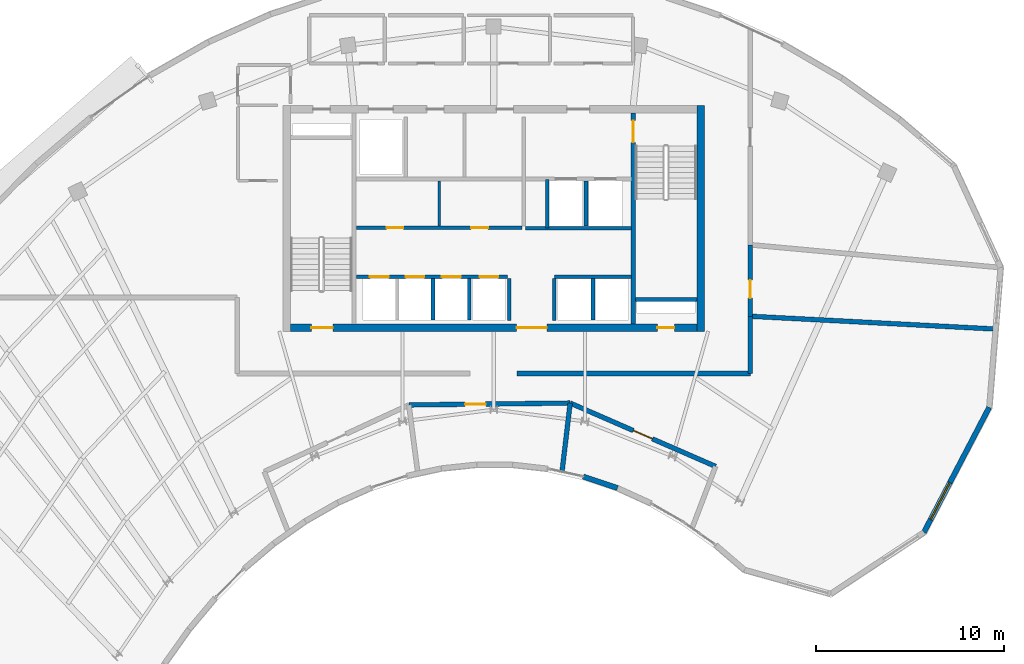
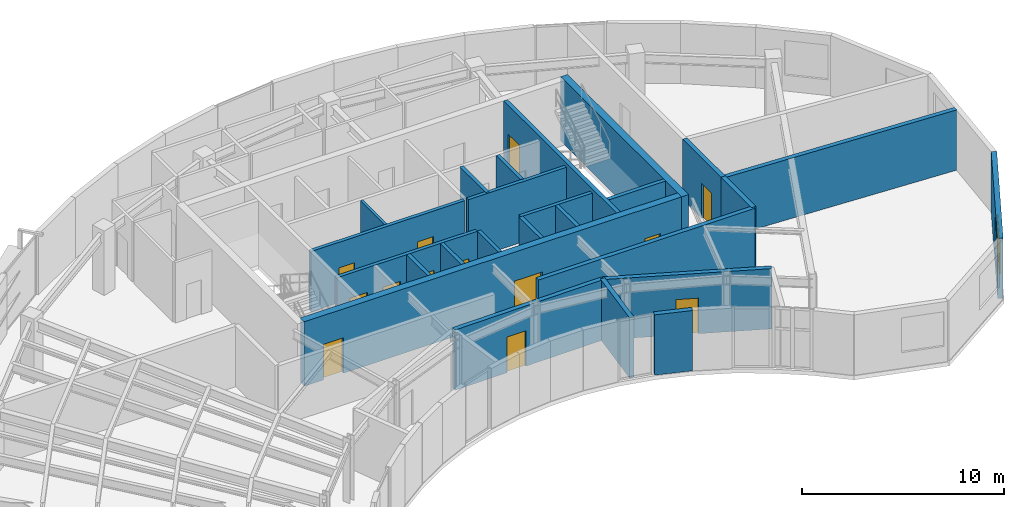
# One storey, part 9 of 12: 25 walls, 13 doors, 1 window, 14 openings.
"""IFC4 building model written with IfcOpenShell, lengths in metres."""

from ifc_helpers import new_model, si_unit, direction, frame, frame_2d, origin, place, context, subcontext, project, spatial, rectangle, extrude, source, transform, mapped, material, layer, layer_set, type_object, type_shapes, element, fill, save


model = new_model("IFC4")

# Units and contexts
model_context = context("Model", 3, precision=1e-05, world=origin(), true_north=direction((0.0, 1.0)))
body_context = subcontext(model_context, "Body", "Model", "MODEL_VIEW")
ifc_project = project(units=[si_unit("LENGTHUNIT", "METRE"), si_unit("AREAUNIT", "SQUARE_METRE"), si_unit("VOLUMEUNIT", "CUBIC_METRE"), si_unit("PLANEANGLEUNIT", "RADIAN"), si_unit("MASSUNIT", "GRAM", prefix="KILO")], contexts=[model_context])

# Site, building, storey
site_placement = place(None, origin())
site = spatial("IfcSite", under=ifc_project, at=site_placement, CompositionType="ELEMENT")
building_placement = place(site_placement, origin())
building = spatial("IfcBuilding", under=site, at=building_placement, Name="Breltana Convention Tower", CompositionType="ELEMENT")
storey_placement = place(building_placement, frame((0.0, 0.0, 267.89990234375)))
storey = spatial("IfcBuildingStorey", under=building, at=storey_placement, Name="L65", CompositionType="ELEMENT", Elevation=267.89990234375)

# Walls
ifc_material_1 = material(Name="Concrete C50/60", Category="concrete")
ifc_layer_1 = layer(ifc_material_1, 0.39990234375, Name="Concrete C50/60")
ifc_layer_set_1 = layer_set([ifc_layer_1], Name="Concrete C50/60")
wall_type_1 = type_object("IfcWallType", Name="SW-CORE-400", PredefinedType="SHEAR", material=ifc_layer_set_1)
shared_shape_1 = source(origin(), body_context, "Body", "SweptSolid", [
    extrude(rectangle(XDim=3.27001953125, YDim=0.219970703125, at=frame_2d((1.635009765625, 0.0))), origin(), (0.0, 0.0, 1.0), 3.900146484375),
])
wall_1_placement = place(storey_placement, frame((55.530029296875, 61.889892578125, 0.0), z_axis=(0.0, 0.0, 1.0), x_axis=(1.0, 0.0, 0.0)))
element("IfcWall", 1, at=wall_1_placement, inside=storey, type_object=wall_type_1, Name="L65 ST-2 Stairwell South Bearing Wall", PredefinedType="SHEAR", context=body_context, shape_type="MappedRepresentation", body=[
    mapped(shared_shape_1, transform((0.0, 0.0, 0.0), scale=1.0)),
])
shared_shape_2 = source(origin(), body_context, "Body", "SweptSolid", [
    extrude(rectangle(XDim=12.0, YDim=0.39990234375, at=frame_2d((6.0, 0.0))), origin(), (0.0, 0.0, 1.0), 3.900146484375),
])
wall_2_placement = place(storey_placement, frame((59.0, 60.199951171875, 0.0), z_axis=(0.0, 0.0, 1.0), x_axis=(0.0, 1.0, 0.0)))
element("IfcWall", 2, at=wall_2_placement, inside=storey, type_object=wall_type_1, Name="L65 East Core Shear Wall", PredefinedType="SHEAR", context=body_context, shape_type="MappedRepresentation", body=[
    mapped(shared_shape_2, transform((0.0, 0.0, 0.0), scale=1.0)),
])

# Wall, openings, doors
shared_shape_3 = source(origin(), body_context, "Body", "SweptSolid", [
    extrude(rectangle(XDim=21.60009765625, YDim=0.39990234375, at=frame_2d((10.800048828125, 0.0))), origin(), (0.0, 0.0, 1.0), 3.900146484375),
])
wall_3_placement = place(storey_placement, frame((37.199951171875, 60.39990234375, 0.0), z_axis=(0.0, 0.0, 1.0), x_axis=(1.0, 0.0, 0.0)))
wall_3 = element("IfcWall", 3, at=wall_3_placement, inside=storey, type_object=wall_type_1, Name="L65 South Core Shear Wall", PredefinedType="SHEAR", context=body_context, shape_type="MappedRepresentation", body=[
    mapped(shared_shape_3, transform((0.0, 0.0, 0.0), scale=1.0)),
])
opening_1_placement = place(wall_3_placement, frame((1.10009765625, 0.0, 0.0)))
opening_1 = element("IfcOpeningElement", 4, at=opening_1_placement, cuts=wall_3, Name="Opening D-11", PredefinedType="OPENING", context=body_context, shape_type="SweptSolid", body=[
    extrude(rectangle(XDim=1.14990234375, YDim=2.14990234375, at=frame_2d((0.574951171875, 1.074951171875))), frame((0.0, 0.2099609375, 0.0), z_axis=(0.0, -1.0, 0.0), x_axis=(1.0, 0.0, 0.0)), (0.0, 0.0, 1.0), 0.419921875),
])
opening_2_placement = place(wall_3_placement, frame((19.5, 0.0, 0.0)))
opening_2 = element("IfcOpeningElement", 5, at=opening_2_placement, cuts=wall_3, Name="Opening D-18", PredefinedType="OPENING", context=body_context, shape_type="SweptSolid", body=[
    extrude(rectangle(XDim=0.89990234375, YDim=2.10009765625, at=frame_2d((0.449951171875, 1.050048828125))), frame((0.0, 0.2099609375, 0.0), z_axis=(0.0, -1.0, 0.0), x_axis=(1.0, 0.0, 0.0)), (0.0, 0.0, 1.0), 0.419921875),
])
opening_3_placement = place(wall_3_placement, frame((12.02001953125, 0.0, 0.0)))
opening_3 = element("IfcOpeningElement", 6, at=opening_3_placement, cuts=wall_3, Name="Opening D-02", PredefinedType="OPENING", context=body_context, shape_type="SweptSolid", body=[
    extrude(rectangle(XDim=1.60009765625, YDim=2.14990234375, at=frame_2d((0.800048828125, 1.074951171875))), frame((0.0, 0.2099609375, 0.0), z_axis=(0.0, -1.0, 0.0), x_axis=(1.0, 0.0, 0.0)), (0.0, 0.0, 1.0), 0.419921875),
])
ifc_material_2 = material(Name="Steel Stair Exit Door", Category="steel")
door_type_1 = type_object("IfcDoorType", Name="DR-FD120-1150", OperationType="NOTDEFINED", PredefinedType="DOOR", material=ifc_material_2)
shared_shape_4 = source(origin(), body_context, "Body", "SweptSolid", [
    extrude(rectangle(XDim=1.14990234375, YDim=2.14990234375, at=frame_2d((0.574951171875, 1.074951171875))), frame((0.0, 0.02490234375, 0.0), z_axis=(0.0, -1.0, 0.0), x_axis=(1.0, 0.0, 0.0)), (0.0, 0.0, 1.0), 0.050048828125),
])
type_shapes(door_type_1, [shared_shape_4])
door_1_placement = place(opening_1_placement, origin())
door_1 = element("IfcDoor", 7, at=door_1_placement, inside=storey, type_object=door_type_1, Name="L65 interior door D-L65-ST1", OperationType="SINGLE_SWING_LEFT", OverallHeight=2.14990234375, OverallWidth=1.14990234375, PredefinedType="DOOR", context=body_context, shape_type="MappedRepresentation", body=[
    mapped(shared_shape_4, transform((0.0, 0.0, 0.0), scale=1.0)),
])
fill(opening_1, door_1)
ifc_material_3 = material(Name="Steel Riser Fire Door", Category="steel")
door_type_2 = type_object("IfcDoorType", Name="DR-FD60-900", OperationType="NOTDEFINED", PredefinedType="DOOR", material=ifc_material_3)
shared_shape_5 = source(origin(), body_context, "Body", "SweptSolid", [
    extrude(rectangle(XDim=0.89990234375, YDim=2.10009765625, at=frame_2d((0.449951171875, 1.050048828125))), frame((0.0, 0.02490234375, 0.0), z_axis=(0.0, -1.0, 0.0), x_axis=(1.0, 0.0, 0.0)), (0.0, 0.0, 1.0), 0.050048828125),
])
type_shapes(door_type_2, [shared_shape_5])
door_2_placement = place(opening_2_placement, origin())
door_2 = element("IfcDoor", 8, at=door_2_placement, inside=storey, type_object=door_type_2, Name="L65 Core Riser Access Door D-L65-RS2", OperationType="SINGLE_SWING_RIGHT", OverallHeight=2.10009765625, OverallWidth=0.89990234375, PredefinedType="DOOR", context=body_context, shape_type="MappedRepresentation", body=[
    mapped(shared_shape_5, transform((0.0, 0.0, 0.0), scale=1.0)),
])
fill(opening_2, door_2)
ifc_material_4 = material(Name="Steel Glazed Smoke-Control Door", Category="steel")
door_type_3 = type_object("IfcDoorType", Name="DR-DBL-FD90-1600", OperationType="DOUBLE_DOOR_SINGLE_SWING", PredefinedType="DOOR", material=ifc_material_4)
shared_shape_6 = source(origin(), body_context, "Body", "SweptSolid", [
    extrude(rectangle(XDim=1.60009765625, YDim=2.14990234375, at=frame_2d((0.800048828125, 1.074951171875))), frame((0.0, 0.02490234375, 0.0), z_axis=(0.0, -1.0, 0.0), x_axis=(1.0, 0.0, 0.0)), (0.0, 0.0, 1.0), 0.050048828125),
])
type_shapes(door_type_3, [shared_shape_6])
door_3_placement = place(opening_3_placement, origin())
door_3 = element("IfcDoor", 9, at=door_3_placement, inside=storey, type_object=door_type_3, Name="L65 interior door D-L65-LLB-S", OperationType="DOUBLE_DOOR_SINGLE_SWING", OverallHeight=2.14990234375, OverallWidth=1.60009765625, PredefinedType="DOOR", context=body_context, shape_type="MappedRepresentation", body=[
    mapped(shared_shape_6, transform((0.0, 0.0, 0.0), scale=1.0)),
])
fill(opening_3, door_3)

# Wall, opening, door
shared_shape_7 = source(origin(), body_context, "Body", "SweptSolid", [
    extrude(rectangle(XDim=11.199951171875, YDim=0.219970703125, at=frame_2d((5.60009765625, 0.0))), origin(), (0.0, 0.0, 1.0), 3.900146484375),
])
wall_4_placement = place(storey_placement, frame((55.419921875, 60.60009765625, 0.0), z_axis=(0.0, 0.0, 1.0), x_axis=(0.0, 1.0, 0.0)))
wall_4 = element("IfcWall", 10, at=wall_4_placement, inside=storey, type_object=wall_type_1, Name="L65 Core East Stair Spine Wall", PredefinedType="SHEAR", context=body_context, shape_type="MappedRepresentation", body=[
    mapped(shared_shape_7, transform((0.0, 0.0, 0.0), scale=1.0)),
])
opening_4_placement = place(wall_4_placement, frame((9.64501953125, 0.0, 0.0)))
opening_4 = element("IfcOpeningElement", 11, at=opening_4_placement, cuts=wall_4, Name="Opening D-11", PredefinedType="OPENING", context=body_context, shape_type="SweptSolid", body=[
    extrude(rectangle(XDim=1.14990234375, YDim=2.14990234375, at=frame_2d((0.574951171875, 1.074951171875))), frame((0.0, 0.1201171875, 0.0), z_axis=(0.0, -1.0, 0.0), x_axis=(1.0, 0.0, 0.0)), (0.0, 0.0, 1.0), 0.239990234375),
])
door_4_placement = place(opening_4_placement, origin())
door_4 = element("IfcDoor", 12, at=door_4_placement, inside=storey, type_object=door_type_1, Name="L65 interior door D-L65-ST2", OperationType="SINGLE_SWING_LEFT", OverallHeight=2.14990234375, OverallWidth=1.14990234375, PredefinedType="DOOR", context=body_context, shape_type="MappedRepresentation", body=[
    mapped(shared_shape_4, transform((0.0, 0.0, 0.0), scale=1.0)),
])
fill(opening_4, door_4)

# Wall, opening, window
ifc_material_5 = material(Name="Limestone Buff Insulated Wall", Category="masonry")
ifc_layer_2 = layer(ifc_material_5, 0.280029296875, Name="Limestone Buff Insulated Wall")
ifc_layer_set_2 = layer_set([ifc_layer_2], Name="Limestone Buff Insulated Wall")
wall_type_2 = type_object("IfcWallType", Name="WL-EXT-NOSE-280", PredefinedType="SOLIDWALL", material=ifc_layer_set_2)
shared_shape_8 = source(origin(), body_context, "Body", "SweptSolid", [
    extrude(rectangle(XDim=7.494873046875, YDim=0.280029296875, at=frame_2d((3.74755859375, 0.0))), origin(), (0.0, 0.0, 1.0), 3.650146484375),
])
wall_5_placement = place(storey_placement, frame((74.342529296875, 56.156005859375, 0.0), z_axis=(0.0, 0.0, 1.0), x_axis=(-0.463116979657, -0.886297164135, 0.0)))
wall_5 = element("IfcWall", 13, at=wall_5_placement, inside=storey, type_object=wall_type_2, Name="L65 curved limestone nose wall E3", PredefinedType="SOLIDWALL", context=body_context, shape_type="MappedRepresentation", body=[
    mapped(shared_shape_8, transform((0.0, 0.0, 0.0), scale=1.0)),
])
opening_5_placement = place(wall_5_placement, frame((4.52099609375, 0.0, 0.949951171875)))
opening_5 = element("IfcOpeningElement", 14, at=opening_5_placement, cuts=wall_5, Name="Opening W-03", PredefinedType="OPENING", context=body_context, shape_type="SweptSolid", body=[
    extrude(rectangle(XDim=2.199951171875, YDim=2.10009765625, at=frame_2d((1.10009765625, 1.050048828125))), frame((0.0, 0.14990234375, 0.0), z_axis=(0.0, -1.0, 0.0), x_axis=(1.0, 0.0, 0.0)), (0.0, 0.0, 1.0), 0.300048828125),
])
ifc_material_6 = material(Name="Glass Low-E Insulated Window", Category="glass")
window_type = type_object("IfcWindowType", Name="WN-NOSE-2200X2100", PartitioningType="TRIPLE_PANEL_VERTICAL", PredefinedType="WINDOW", material=ifc_material_6)
shared_shape_9 = source(origin(), body_context, "Body", "SweptSolid", [
    extrude(rectangle(XDim=2.199951171875, YDim=2.10009765625, at=frame_2d((1.10009765625, 1.050048828125))), frame((0.0, 0.030029296875, 0.0), z_axis=(0.0, -1.0, 0.0), x_axis=(1.0, 0.0, 0.0)), (0.0, 0.0, 1.0), 0.06005859375),
])
type_shapes(window_type, [shared_shape_9])
window_placement = place(opening_5_placement, origin())
window = element("IfcWindow", 15, at=window_placement, inside=storey, type_object=window_type, Name="L65 nose window E3", OverallHeight=2.10009765625, OverallWidth=2.199951171875, PartitioningType="TRIPLE_PANEL_VERTICAL", PredefinedType="WINDOW", context=body_context, shape_type="MappedRepresentation", body=[
    mapped(shared_shape_9, transform((0.0, 0.0, 0.0), scale=1.0)),
])
fill(opening_5, window)

# Walls
shared_shape_10 = source(origin(), body_context, "Body", "SweptSolid", [
    extrude(rectangle(XDim=1.917724609375, YDim=0.280029296875, at=frame_2d((0.958984375, 0.0))), origin(), (0.0, 0.0, 1.0), 3.650146484375),
])
wall_6_placement = place(storey_placement, frame((54.579345703125, 51.865234375, 0.0), z_axis=(0.0, 0.0, 1.0), x_axis=(-0.947916697588, 0.318518342381, 0.0)))
element("IfcWall", 16, at=wall_6_placement, inside=storey, type_object=wall_type_2, Name="L65 curved limestone nose wall E8", PredefinedType="SOLIDWALL", context=body_context, shape_type="MappedRepresentation", body=[
    mapped(shared_shape_10, transform((0.0, 0.0, 0.0), scale=1.0)),
])
ifc_material_7 = material(Name="Autoclaved Aerated Concrete Block", Category="concrete")
ifc_layer_3 = layer(ifc_material_7, 0.199951171875, Name="Autoclaved Aerated Concrete Block")
ifc_layer_set_3 = layer_set([ifc_layer_3], Name="Autoclaved Aerated Concrete Block")
wall_type_3 = type_object("IfcWallType", Name="WL-SHAFT-200", PredefinedType="SOLIDWALL", material=ifc_layer_set_3)
shared_shape_11 = source(origin(), body_context, "Body", "SweptSolid", [
    extrude(rectangle(XDim=2.239990234375, YDim=0.199951171875, at=frame_2d((1.1201171875, 0.0))), origin(), (0.0, 0.0, 1.0), 3.650146484375),
])
for number, where, z_axis, x_axis, name in (
    (17, (48.820068359375, 60.780029296875, 0.0), (0.0, 0.0, 1.0), (0.0, 1.0, 0.0), "L65 interior partition W-L65-PORT-W"),
    (18, (51.219970703125, 60.780029296875, 0.0), (0.0, 0.0, 1.0), (0.0, 1.0, 0.0), "L65 interior partition W-L65-PORT-E"),
):
    element("IfcWall", number, at=place(storey_placement, frame(where, z_axis=z_axis, x_axis=x_axis)), inside=storey, type_object=wall_type_3, Name=name, PredefinedType="SOLIDWALL", context=body_context, shape_type="MappedRepresentation", body=[
        mapped(shared_shape_11, transform((0.0, 0.0, 0.0), scale=1.0)),
    ])
shared_shape_12 = source(origin(), body_context, "Body", "SweptSolid", [
    extrude(rectangle(XDim=5.6201171875, YDim=0.199951171875, at=frame_2d((2.81005859375, 0.0))), origin(), (0.0, 0.0, 1.0), 3.650146484375),
])
wall_7_placement = place(storey_placement, frame((49.699951171875, 65.679931640625, 0.0), z_axis=(0.0, 0.0, 1.0), x_axis=(1.0, 0.0, 0.0)))
element("IfcWall", 19, at=wall_7_placement, inside=storey, type_object=wall_type_3, Name="L65 interior partition W-L65-FL-S", PredefinedType="SOLIDWALL", context=body_context, shape_type="MappedRepresentation", body=[
    mapped(shared_shape_12, transform((0.0, 0.0, 0.0), scale=1.0)),
])
shared_shape_13 = source(origin(), body_context, "Body", "SweptSolid", [
    extrude(rectangle(XDim=2.580078125, YDim=0.199951171875, at=frame_2d((1.2900390625, 0.0))), origin(), (0.0, 0.0, 1.0), 3.650146484375),
])
wall_8_placement = place(storey_placement, frame((50.85009765625, 65.679931640625, 0.0), z_axis=(0.0, 0.0, 1.0), x_axis=(0.0, 1.0, 0.0)))
element("IfcWall", 20, at=wall_8_placement, inside=storey, type_object=wall_type_3, Name="L65 interior partition W-L65-FL-W", PredefinedType="SOLIDWALL", context=body_context, shape_type="MappedRepresentation", body=[
    mapped(shared_shape_13, transform((0.0, 0.0, 0.0), scale=1.0)),
])
shared_shape_14 = source(origin(), body_context, "Body", "SweptSolid", [
    extrude(rectangle(XDim=2.39990234375, YDim=0.199951171875, at=frame_2d((1.199951171875, 0.0))), origin(), (0.0, 0.0, 1.0), 3.650146484375),
])
wall_9_placement = place(storey_placement, frame((52.89990234375, 65.800048828125, 0.0), z_axis=(0.0, 0.0, 1.0), x_axis=(0.0, 1.0, 0.0)))
element("IfcWall", 21, at=wall_9_placement, inside=storey, type_object=wall_type_3, Name="L65 interior partition W-L65-FL-DIV", PredefinedType="SOLIDWALL", context=body_context, shape_type="MappedRepresentation", body=[
    mapped(shared_shape_14, transform((0.0, 0.0, 0.0), scale=1.0)),
])

# Wall, openings, doors
shared_shape_15 = source(origin(), body_context, "Body", "SweptSolid", [
    extrude(rectangle(XDim=8.800048828125, YDim=0.199951171875, at=frame_2d((4.39990234375, 0.0))), origin(), (0.0, 0.0, 1.0), 3.650146484375),
])
wall_10_placement = place(storey_placement, frame((40.699951171875, 65.699951171875, 0.0), z_axis=(0.0, 0.0, 1.0), x_axis=(1.0, 0.0, 0.0)))
wall_10 = element("IfcWall", 22, at=wall_10_placement, inside=storey, type_object=wall_type_3, Name="L65 interior partition W-L65-SH-M-FRONT", PredefinedType="SOLIDWALL", context=body_context, shape_type="MappedRepresentation", body=[
    mapped(shared_shape_15, transform((0.0, 0.0, 0.0), scale=1.0)),
])
opening_6_placement = place(wall_10_placement, frame((1.60009765625, 0.0, 0.0)))
opening_6 = element("IfcOpeningElement", 23, at=opening_6_placement, cuts=wall_10, Name="Opening D-18", PredefinedType="OPENING", context=body_context, shape_type="SweptSolid", body=[
    extrude(rectangle(XDim=0.89990234375, YDim=2.10009765625, at=frame_2d((0.449951171875, 1.050048828125))), frame((0.0, 0.10986328125, 0.0), z_axis=(0.0, -1.0, 0.0), x_axis=(1.0, 0.0, 0.0)), (0.0, 0.0, 1.0), 0.219970703125),
])
opening_7_placement = place(wall_10_placement, frame((6.10009765625, 0.0, 0.0)))
opening_7 = element("IfcOpeningElement", 24, at=opening_7_placement, cuts=wall_10, Name="Opening D-18", PredefinedType="OPENING", context=body_context, shape_type="SweptSolid", body=[
    extrude(rectangle(XDim=0.89990234375, YDim=2.10009765625, at=frame_2d((0.449951171875, 1.050048828125))), frame((0.0, 0.10986328125, 0.0), z_axis=(0.0, -1.0, 0.0), x_axis=(1.0, 0.0, 0.0)), (0.0, 0.0, 1.0), 0.219970703125),
])
door_5_placement = place(opening_6_placement, origin())
door_5 = element("IfcDoor", 25, at=door_5_placement, inside=storey, type_object=door_type_2, Name="L65 interior door D-L65-LV7-B2A", OperationType="SINGLE_SWING_LEFT", OverallHeight=2.10009765625, OverallWidth=0.89990234375, PredefinedType="DOOR", context=body_context, shape_type="MappedRepresentation", body=[
    mapped(shared_shape_5, transform((0.0, 0.0, 0.0), scale=1.0)),
])
fill(opening_6, door_5)
door_6_placement = place(opening_7_placement, origin())
door_6 = element("IfcDoor", 26, at=door_6_placement, inside=storey, type_object=door_type_2, Name="L65 interior door D-L65-LV7-B2B", OperationType="SINGLE_SWING_RIGHT", OverallHeight=2.10009765625, OverallWidth=0.89990234375, PredefinedType="DOOR", context=body_context, shape_type="MappedRepresentation", body=[
    mapped(shared_shape_5, transform((0.0, 0.0, 0.0), scale=1.0)),
])
fill(opening_7, door_6)

shared_shape_16 = source(origin(), body_context, "Body", "SweptSolid", [
    extrude(rectangle(XDim=8.02001953125, YDim=0.199951171875, at=frame_2d((4.010009765625, 0.0))), origin(), (0.0, 0.0, 1.0), 3.650146484375),
])
wall_11_placement = place(storey_placement, frame((40.699951171875, 63.10009765625, 0.0), z_axis=(0.0, 0.0, 1.0), x_axis=(1.0, 0.0, 0.0)))
wall_11 = element("IfcWall", 27, at=wall_11_placement, inside=storey, type_object=wall_type_3, Name="L65 interior partition W-L65-SH-S-FRONT", PredefinedType="SOLIDWALL", context=body_context, shape_type="MappedRepresentation", body=[
    mapped(shared_shape_16, transform((0.0, 0.0, 0.0), scale=1.0)),
])
opening_8_placement = place(wall_11_placement, frame((0.719970703125, 0.0, 0.0)))
opening_8 = element("IfcOpeningElement", 28, at=opening_8_placement, cuts=wall_11, Name="Opening LD-04", PredefinedType="OPENING", context=body_context, shape_type="SweptSolid", body=[
    extrude(rectangle(XDim=1.0, YDim=2.14990234375, at=frame_2d((0.5, 1.074951171875))), frame((0.0, 0.10986328125, 0.0), z_axis=(0.0, -1.0, 0.0), x_axis=(1.0, 0.0, 0.0)), (0.0, 0.0, 1.0), 0.219970703125),
])
opening_9_placement = place(wall_11_placement, frame((2.6201171875, 0.0, 0.0)))
opening_9 = element("IfcOpeningElement", 29, at=opening_9_placement, cuts=wall_11, Name="Opening LD-04", PredefinedType="OPENING", context=body_context, shape_type="SweptSolid", body=[
    extrude(rectangle(XDim=1.0, YDim=2.14990234375, at=frame_2d((0.5, 1.074951171875))), frame((0.0, 0.10986328125, 0.0), z_axis=(0.0, -1.0, 0.0), x_axis=(1.0, 0.0, 0.0)), (0.0, 0.0, 1.0), 0.219970703125),
])
opening_10_placement = place(wall_11_placement, frame((4.550048828125, 0.0, 0.0)))
opening_10 = element("IfcOpeningElement", 30, at=opening_10_placement, cuts=wall_11, Name="Opening LD-04", PredefinedType="OPENING", context=body_context, shape_type="SweptSolid", body=[
    extrude(rectangle(XDim=1.0, YDim=2.14990234375, at=frame_2d((0.5, 1.074951171875))), frame((0.0, 0.10986328125, 0.0), z_axis=(0.0, -1.0, 0.0), x_axis=(1.0, 0.0, 0.0)), (0.0, 0.0, 1.0), 0.219970703125),
])
opening_11_placement = place(wall_11_placement, frame((6.550048828125, 0.0, 0.0)))
opening_11 = element("IfcOpeningElement", 31, at=opening_11_placement, cuts=wall_11, Name="Opening LD-04", PredefinedType="OPENING", context=body_context, shape_type="SweptSolid", body=[
    extrude(rectangle(XDim=1.0, YDim=2.14990234375, at=frame_2d((0.5, 1.074951171875))), frame((0.0, 0.10986328125, 0.0), z_axis=(0.0, -1.0, 0.0), x_axis=(1.0, 0.0, 0.0)), (0.0, 0.0, 1.0), 0.219970703125),
])
ifc_material_8 = material(Name="Stainless Steel Brushed", Category="steel")
door_type_4 = type_object("IfcDoorType", Name="DR-LD-PAX-1000", OperationType="DOUBLE_DOOR_SLIDING", PredefinedType="DOOR", material=ifc_material_8)
shared_shape_17 = source(origin(), body_context, "Body", "SweptSolid", [
    extrude(rectangle(XDim=1.0, YDim=2.14990234375, at=frame_2d((0.5, 1.074951171875))), frame((0.0, 0.02490234375, 0.0), z_axis=(0.0, -1.0, 0.0), x_axis=(1.0, 0.0, 0.0)), (0.0, 0.0, 1.0), 0.050048828125),
])
type_shapes(door_type_4, [shared_shape_17])
door_7_placement = place(opening_8_placement, origin())
door_7 = element("IfcDoor", 32, at=door_7_placement, inside=storey, type_object=door_type_4, Name="L65 Lift Landing Door D-L65-LD-S1", OperationType="DOUBLE_DOOR_SLIDING", OverallHeight=2.14990234375, OverallWidth=1.0, PredefinedType="DOOR", context=body_context, shape_type="MappedRepresentation", body=[
    mapped(shared_shape_17, transform((0.0, 0.0, 0.0), scale=1.0)),
])
fill(opening_8, door_7)
door_8_placement = place(opening_9_placement, origin())
door_8 = element("IfcDoor", 33, at=door_8_placement, inside=storey, type_object=door_type_4, Name="L65 Lift Landing Door D-L65-LD-S2", OperationType="DOUBLE_DOOR_SLIDING", OverallHeight=2.14990234375, OverallWidth=1.0, PredefinedType="DOOR", context=body_context, shape_type="MappedRepresentation", body=[
    mapped(shared_shape_17, transform((0.0, 0.0, 0.0), scale=1.0)),
])
fill(opening_9, door_8)
door_9_placement = place(opening_10_placement, origin())
door_9 = element("IfcDoor", 34, at=door_9_placement, inside=storey, type_object=door_type_4, Name="L65 Lift Landing Door D-L65-LD-S3", OperationType="DOUBLE_DOOR_SLIDING", OverallHeight=2.14990234375, OverallWidth=1.0, PredefinedType="DOOR", context=body_context, shape_type="MappedRepresentation", body=[
    mapped(shared_shape_17, transform((0.0, 0.0, 0.0), scale=1.0)),
])
fill(opening_10, door_9)
door_10_placement = place(opening_11_placement, origin())
door_10 = element("IfcDoor", 35, at=door_10_placement, inside=storey, type_object=door_type_4, Name="L65 Lift Landing Door D-L65-LD-S4", OperationType="DOUBLE_DOOR_SLIDING", OverallHeight=2.14990234375, OverallWidth=1.0, PredefinedType="DOOR", context=body_context, shape_type="MappedRepresentation", body=[
    mapped(shared_shape_17, transform((0.0, 0.0, 0.0), scale=1.0)),
])
fill(opening_11, door_10)

# Walls
shared_shape_18 = source(origin(), body_context, "Body", "SweptSolid", [
    extrude(rectangle(XDim=4.10009765625, YDim=0.199951171875, at=frame_2d((2.050048828125, 0.0))), origin(), (0.0, 0.0, 1.0), 3.650146484375),
])
wall_12_placement = place(storey_placement, frame((51.219970703125, 63.10009765625, 0.0), z_axis=(0.0, 0.0, 1.0), x_axis=(1.0, 0.0, 0.0)))
element("IfcWall", 36, at=wall_12_placement, inside=storey, type_object=wall_type_3, Name="L65 interior partition W-L65-SH-X-FRONT", PredefinedType="SOLIDWALL", context=body_context, shape_type="MappedRepresentation", body=[
    mapped(shared_shape_18, transform((0.0, 0.0, 0.0), scale=1.0)),
])
shared_shape_19 = source(origin(), body_context, "Body", "SweptSolid", [
    extrude(rectangle(XDim=2.199951171875, YDim=0.199951171875, at=frame_2d((1.10009765625, 0.0))), origin(), (0.0, 0.0, 1.0), 3.650146484375),
])
for number, where, z_axis, x_axis, name in (
    (37, (44.77001953125, 60.800048828125, 0.0), (0.0, 0.0, 1.0), (0.0, 1.0, 0.0), "L65 interior partition W-L65-SH-S-DIV2"),
    (38, (46.699951171875, 60.800048828125, 0.0), (0.0, 0.0, 1.0), (0.0, 1.0, 0.0), "L65 interior partition W-L65-SH-S-DIV3"),
    (39, (53.280029296875, 60.800048828125, 0.0), (0.0, 0.0, 1.0), (0.0, 1.0, 0.0), "L65 interior partition W-L65-SH-X-DIV"),
):
    element("IfcWall", number, at=place(storey_placement, frame(where, z_axis=z_axis, x_axis=x_axis)), inside=storey, type_object=wall_type_3, Name=name, PredefinedType="SOLIDWALL", context=body_context, shape_type="MappedRepresentation", body=[
        mapped(shared_shape_19, transform((0.0, 0.0, 0.0), scale=1.0)),
    ])
ifc_material_9 = material(Name="Gypsum Acoustic Drywall Partition")
ifc_layer_4 = layer(ifc_material_9, 0.14990234375, Name="Gypsum Acoustic Drywall Partition")
ifc_layer_set_4 = layer_set([ifc_layer_4], Name="Gypsum Acoustic Drywall Partition")
wall_type_4 = type_object("IfcWallType", Name="WL-PART-150", PredefinedType="PARTITIONING", material=ifc_layer_set_4)
shared_shape_20 = source(origin(), body_context, "Body", "SweptSolid", [
    extrude(rectangle(XDim=2.39990234375, YDim=0.14990234375, at=frame_2d((1.199951171875, 0.0))), origin(), (0.0, 0.0, 1.0), 3.650146484375),
])
wall_13_placement = place(storey_placement, frame((45.10009765625, 65.800048828125, 0.0), z_axis=(0.0, 0.0, 1.0), x_axis=(0.0, 1.0, 0.0)))
element("IfcWall", 40, at=wall_13_placement, inside=storey, type_object=wall_type_4, Name="L65 interior partition W-L65-LV7-B2-DIV", PredefinedType="PARTITIONING", context=body_context, shape_type="MappedRepresentation", body=[
    mapped(shared_shape_20, transform((0.0, 0.0, 0.0), scale=1.0)),
])

# Wall, opening, door
ifc_material_10 = material(Name="Gypsum Acoustic Double Stud Wall")
ifc_layer_5 = layer(ifc_material_10, 0.25, Name="Gypsum Acoustic Double Stud Wall")
ifc_layer_set_5 = layer_set([ifc_layer_5], Name="Gypsum Acoustic Double Stud Wall")
wall_type_5 = type_object("IfcWallType", Name="WL-ACOUSTIC-250", PredefinedType="PARTITIONING", material=ifc_layer_set_5)
shared_shape_21 = source(origin(), body_context, "Body", "SweptSolid", [
    extrude(rectangle(XDim=8.576171875, YDim=0.25, at=frame_2d((4.2880859375, 0.0))), origin(), (0.0, 0.0, 1.0), 3.650146484375),
])
wall_14_placement = place(storey_placement, frame((43.488525390625, 56.2841796875, 0.0), z_axis=(0.0, 0.0, 1.0), x_axis=(0.999931553434, 0.011699933624, 0.0)))
wall_14 = element("IfcWall", 41, at=wall_14_placement, inside=storey, type_object=wall_type_5, Name="L65 interior partition W-L65-ES2-COR", PredefinedType="PARTITIONING", context=body_context, shape_type="MappedRepresentation", body=[
    mapped(shared_shape_21, transform((0.0, 0.0, 0.0), scale=1.0)),
])
opening_12_placement = place(wall_14_placement, frame((2.988037109375, 0.0, 0.0)))
opening_12 = element("IfcOpeningElement", 42, at=opening_12_placement, cuts=wall_14, Name="Opening D-12", PredefinedType="OPENING", context=body_context, shape_type="SweptSolid", body=[
    extrude(rectangle(XDim=1.10009765625, YDim=2.14990234375, at=frame_2d((0.550048828125, 1.074951171875))), frame((0.0, 0.135009765625, 0.0), z_axis=(0.0, -1.0, 0.0), x_axis=(1.0, 0.0, 0.0)), (0.0, 0.0, 1.0), 0.27001953125),
])
ifc_material_11 = material(Name="Timber Oak Acoustic Door", Category="wood")
door_type_5 = type_object("IfcDoorType", Name="DR-INT-1100", OperationType="NOTDEFINED", PredefinedType="DOOR", material=ifc_material_11)
shared_shape_22 = source(origin(), body_context, "Body", "SweptSolid", [
    extrude(rectangle(XDim=1.10009765625, YDim=2.14990234375, at=frame_2d((0.550048828125, 1.074951171875))), frame((0.0, 0.02490234375, 0.0), z_axis=(0.0, -1.0, 0.0), x_axis=(1.0, 0.0, 0.0)), (0.0, 0.0, 1.0), 0.050048828125),
])
type_shapes(door_type_5, [shared_shape_22])
door_11_placement = place(opening_12_placement, origin())
door_11 = element("IfcDoor", 43, at=door_11_placement, inside=storey, type_object=door_type_5, Name="L65 interior door D-L65-ES2", OperationType="SINGLE_SWING_RIGHT", OverallHeight=2.14990234375, OverallWidth=1.10009765625, PredefinedType="DOOR", context=body_context, shape_type="MappedRepresentation", body=[
    mapped(shared_shape_22, transform((0.0, 0.0, 0.0), scale=1.0)),
])
fill(opening_12, door_11)

# Wall
shared_shape_23 = source(origin(), body_context, "Body", "SweptSolid", [
    extrude(rectangle(XDim=3.671630859375, YDim=0.25, at=frame_2d((1.8359375, 0.0))), origin(), (0.0, 0.0, 1.0), 3.650146484375),
])
wall_15_placement = place(storey_placement, frame((51.63330078125, 52.73828125, 0.0), z_axis=(0.0, 0.0, 1.0), x_axis=(0.117362064027, 0.993089193339, 0.0)))
element("IfcWall", 44, at=wall_15_placement, inside=storey, type_object=wall_type_5, Name="L65 interior partition W-L65-ES2-RB", PredefinedType="PARTITIONING", context=body_context, shape_type="MappedRepresentation", body=[
    mapped(shared_shape_23, transform((0.0, 0.0, 0.0), scale=1.0)),
])

# Wall, opening, door
shared_shape_24 = source(origin(), body_context, "Body", "SweptSolid", [
    extrude(rectangle(XDim=8.431396484375, YDim=0.25, at=frame_2d((4.2158203125, 0.0))), origin(), (0.0, 0.0, 1.0), 3.650146484375),
])
wall_16_placement = place(storey_placement, frame((52.064208984375, 56.384521484375, 0.0), z_axis=(0.0, 0.0, 1.0), x_axis=(0.916868304583, -0.399189819574, 0.0)))
wall_16 = element("IfcWall", 45, at=wall_16_placement, inside=storey, type_object=wall_type_5, Name="L65 interior partition W-L65-ES3-COR", PredefinedType="PARTITIONING", context=body_context, shape_type="MappedRepresentation", body=[
    mapped(shared_shape_24, transform((0.0, 0.0, 0.0), scale=1.0)),
])
opening_13_placement = place(wall_16_placement, frame((3.665771484375, 0.0, 0.0)))
opening_13 = element("IfcOpeningElement", 46, at=opening_13_placement, cuts=wall_16, Name="Opening D-12", PredefinedType="OPENING", context=body_context, shape_type="SweptSolid", body=[
    extrude(rectangle(XDim=1.10009765625, YDim=2.14990234375, at=frame_2d((0.550048828125, 1.074951171875))), frame((0.0, 0.135009765625, 0.0), z_axis=(0.0, -1.0, 0.0), x_axis=(1.0, 0.0, 0.0)), (0.0, 0.0, 1.0), 0.27001953125),
])
door_12_placement = place(opening_13_placement, origin())
door_12 = element("IfcDoor", 47, at=door_12_placement, inside=storey, type_object=door_type_5, Name="L65 interior door D-L65-ES3", OperationType="SINGLE_SWING_LEFT", OverallHeight=2.14990234375, OverallWidth=1.10009765625, PredefinedType="DOOR", context=body_context, shape_type="MappedRepresentation", body=[
    mapped(shared_shape_22, transform((0.0, 0.0, 0.0), scale=1.0)),
])
fill(opening_13, door_12)

# Walls
shared_shape_25 = source(origin(), body_context, "Body", "SweptSolid", [
    extrude(rectangle(XDim=12.389892578125, YDim=0.25, at=frame_2d((6.19482421875, 0.0))), origin(), (0.0, 0.0, 1.0), 3.650146484375),
])
wall_17_placement = place(storey_placement, frame((49.25, 57.9599609375, 0.0), z_axis=(0.0, 0.0, 1.0), x_axis=(1.0, 0.0, 0.0)))
element("IfcWall", 48, at=wall_17_placement, inside=storey, type_object=wall_type_5, Name="L65 interior partition W-L65-Z45-CSE", PredefinedType="PARTITIONING", context=body_context, shape_type="MappedRepresentation", body=[
    mapped(shared_shape_25, transform((0.0, 0.0, 0.0), scale=1.0)),
])
shared_shape_26 = source(origin(), body_context, "Body", "SweptSolid", [
    extrude(rectangle(XDim=12.93798828125, YDim=0.25, at=frame_2d((6.468994140625, 0.0))), origin(), (0.0, 0.0, 1.0), 3.650146484375),
])
wall_18_placement = place(storey_placement, frame((61.639892578125, 61.0, 0.0), z_axis=(0.0, 0.0, 1.0), x_axis=(0.998643821866, -0.052062626215, 0.0)))
element("IfcWall", 49, at=wall_18_placement, inside=storey, type_object=wall_type_5, Name="L65 interior partition W-L65-EXE1-N", PredefinedType="PARTITIONING", context=body_context, shape_type="MappedRepresentation", body=[
    mapped(shared_shape_26, transform((0.0, 0.0, 0.0), scale=1.0)),
])
shared_shape_27 = source(origin(), body_context, "Body", "SweptSolid", [
    extrude(rectangle(XDim=3.0400390625, YDim=0.25, at=frame_2d((1.52001953125, 0.0))), origin(), (0.0, 0.0, 1.0), 3.650146484375),
])
wall_19_placement = place(storey_placement, frame((61.639892578125, 57.9599609375, 0.0), z_axis=(0.0, 0.0, 1.0), x_axis=(0.0, 1.0, 0.0)))
element("IfcWall", 50, at=wall_19_placement, inside=storey, type_object=wall_type_5, Name="L65 interior partition W-L65-EXE1-ENT", PredefinedType="PARTITIONING", context=body_context, shape_type="MappedRepresentation", body=[
    mapped(shared_shape_27, transform((0.0, 0.0, 0.0), scale=1.0)),
])

# Wall, opening, door
shared_shape_28 = source(origin(), body_context, "Body", "SweptSolid", [
    extrude(rectangle(XDim=3.800048828125, YDim=0.25, at=frame_2d((1.89990234375, 0.0))), origin(), (0.0, 0.0, 1.0), 3.650146484375),
])
wall_20_placement = place(storey_placement, frame((61.639892578125, 61.0, 0.0), z_axis=(0.0, 0.0, 1.0), x_axis=(0.0, 1.0, 0.0)))
wall_20 = element("IfcWall", 51, at=wall_20_placement, inside=storey, type_object=wall_type_5, Name="L65 interior partition W-L65-EXE2-ENT", PredefinedType="PARTITIONING", context=body_context, shape_type="MappedRepresentation", body=[
    mapped(shared_shape_28, transform((0.0, 0.0, 0.0), scale=1.0)),
])
opening_14_placement = place(wall_20_placement, frame((0.968994140625, 0.0, 0.0)))
opening_14 = element("IfcOpeningElement", 52, at=opening_14_placement, cuts=wall_20, Name="Opening D-17", PredefinedType="OPENING", context=body_context, shape_type="SweptSolid", body=[
    extrude(rectangle(XDim=0.949951171875, YDim=2.10009765625, at=frame_2d((0.47509765625, 1.050048828125))), frame((0.0, 0.135009765625, 0.0), z_axis=(0.0, -1.0, 0.0), x_axis=(1.0, 0.0, 0.0)), (0.0, 0.0, 1.0), 0.27001953125),
])
ifc_material_12 = material(Name="Timber Oak Veneer Door", Category="wood")
door_type_6 = type_object("IfcDoorType", Name="DR-INT-950", OperationType="NOTDEFINED", PredefinedType="DOOR", material=ifc_material_12)
shared_shape_29 = source(origin(), body_context, "Body", "SweptSolid", [
    extrude(rectangle(XDim=0.949951171875, YDim=2.10009765625, at=frame_2d((0.47509765625, 1.050048828125))), frame((0.0, 0.02490234375, 0.0), z_axis=(0.0, -1.0, 0.0), x_axis=(1.0, 0.0, 0.0)), (0.0, 0.0, 1.0), 0.050048828125),
])
type_shapes(door_type_6, [shared_shape_29])
door_13_placement = place(opening_14_placement, origin())
door_13 = element("IfcDoor", 53, at=door_13_placement, inside=storey, type_object=door_type_6, Name="L65 interior door D-L65-EXE2", OperationType="SINGLE_SWING_LEFT", OverallHeight=2.10009765625, OverallWidth=0.949951171875, PredefinedType="DOOR", context=body_context, shape_type="MappedRepresentation", body=[
    mapped(shared_shape_29, transform((0.0, 0.0, 0.0), scale=1.0)),
])
fill(opening_14, door_13)

save(model, "model.ifc")
